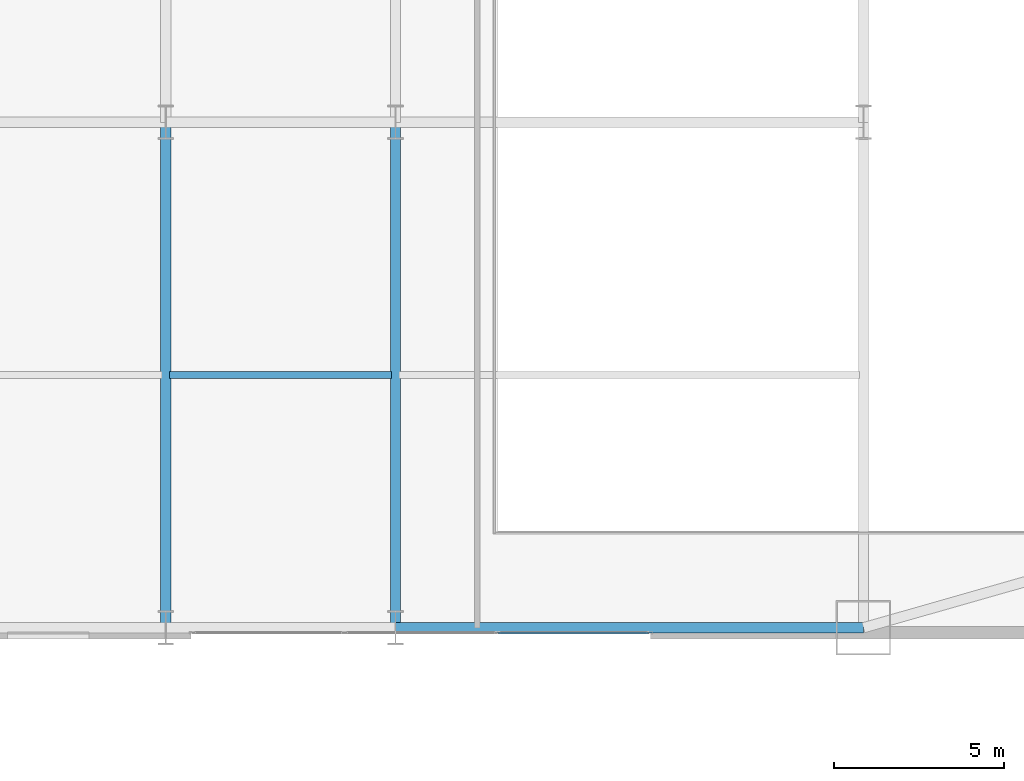
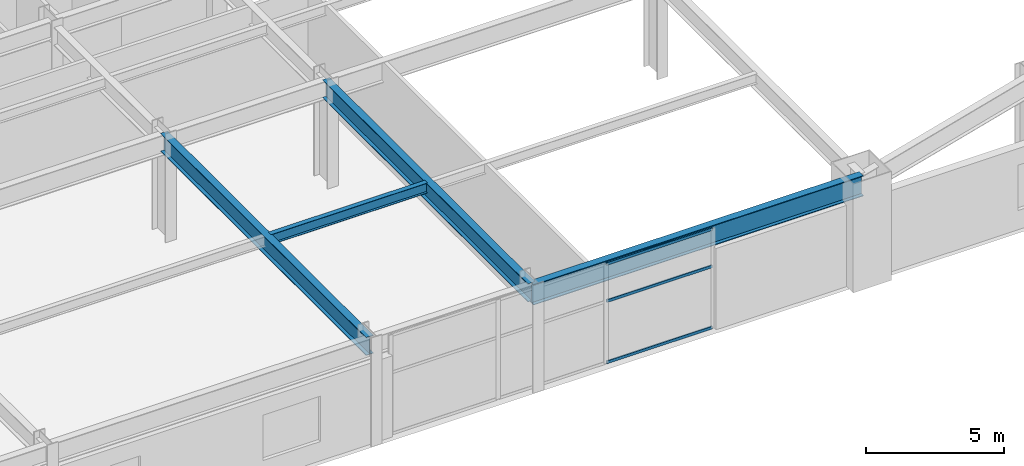
# One storey, part 5 of 30: 4 beams, 3 members, 1 element without a shape of its own.
"""IFC4 building model written with IfcOpenShell, lengths in metres."""

from ifc_helpers import new_model, si_unit, direction, frame, origin, origin_2d, place, context, subcontext, project, spatial, hollow_rectangle, i_section, extrude, material, layer, layer_set, material_profile, profile_set, type_object, element, aggregate, save


model = new_model("IFC4")

# Units and contexts
model_context = context("Model", 3, precision=1e-05, world=origin(), true_north=direction((0.0, 1.0)))
body_context = subcontext(model_context, "Body", "Model", "MODEL_VIEW")
ifc_project = project(units=[si_unit("LENGTHUNIT", "METRE"), si_unit("AREAUNIT", "SQUARE_METRE"), si_unit("VOLUMEUNIT", "CUBIC_METRE"), si_unit("PLANEANGLEUNIT", "RADIAN"), si_unit("MASSUNIT", "GRAM", prefix="KILO")], contexts=[model_context])

# Site, building, storey
site_placement = place(None, origin())
site = spatial("IfcSite", under=ifc_project, at=site_placement, CompositionType="ELEMENT")
building_placement = place(site_placement, origin())
building = spatial("IfcBuilding", under=site, at=building_placement, Name="Haevon Station Towers", CompositionType="ELEMENT")
storey_placement = place(building_placement, frame((0.0, 0.0, 15.60009765625)))
storey = spatial("IfcBuildingStorey", under=building, at=storey_placement, Name="L03", CompositionType="ELEMENT", Elevation=15.60009765625)

# Beams
ifc_material_1 = material(Name="Steel S355", Category="steel")
ifc_material_profile_1 = material_profile(ifc_material_1, i_section(OverallWidth=0.199951171875, OverallDepth=0.449951171875, WebThickness=0.009033203125, FlangeThickness=0.013916015625, at=origin_2d()), Name="H-450x200x9x14")
ifc_profile_set_1 = profile_set([ifc_material_profile_1], Name="Steel S355")
beam_type_1 = type_object("IfcBeamType", Name="BM-J450", PredefinedType="JOIST", material=ifc_profile_set_1)
beam_1_placement = place(storey_placement, frame((44.360107421875, 22.574951171875, 4.27490234375), z_axis=(1.0, 0.0, 0.0), x_axis=(0.0, 1.0, 0.0)))
element("IfcBeam", 1, at=beam_1_placement, inside=storey, type_object=beam_type_1, Name="BM-T1J-L03-01-04", PredefinedType="JOIST", context=body_context, shape_type="SweptSolid", body=[
    extrude(i_section(OverallWidth=0.199951171875, OverallDepth=0.449951171875, WebThickness=0.009033203125, FlangeThickness=0.013916015625, at=origin_2d()), origin(), (0.0, 0.0, 1.0), 6.52978515625),
])
ifc_material_profile_2 = material_profile(ifc_material_1, i_section(OverallWidth=0.300048828125, OverallDepth=0.800048828125, WebThickness=0.013916015625, FlangeThickness=0.02587890625, at=origin_2d()), Name="H-800x300x14x26")
ifc_profile_set_2 = profile_set([ifc_material_profile_2], Name="Steel S355")
beam_type_2 = type_object("IfcBeamType", Name="BM-PG800", PredefinedType="BEAM", material=ifc_profile_set_2)
for number, where, z_axis, x_axis, name in (
    (2, (44.25, 15.14990234375, 4.099853515625), (0.0, 1.0, 0.0), (-1.0, 0.0, 0.0), "BM-T1Y-L03-05-01"),
    (3, (51.0, 15.14990234375, 4.099853515625), (0.0, 1.0, 0.0), (-1.0, 0.0, 0.0), "BM-T1Y-L03-06-01"),
):
    element("IfcBeam", number, at=place(storey_placement, frame(where, z_axis=z_axis, x_axis=x_axis)), inside=storey, type_object=beam_type_2, Name=name, PredefinedType="BEAM", context=body_context, shape_type="SweptSolid", body=[
        extrude(i_section(OverallWidth=0.300048828125, OverallDepth=0.800048828125, WebThickness=0.013916015625, FlangeThickness=0.02587890625, at=origin_2d()), origin(), (0.0, 0.0, 1.0), 14.85009765625),
    ])
ifc_material_profile_3 = material_profile(ifc_material_1, i_section(OverallWidth=0.300048828125, OverallDepth=0.89990234375, WebThickness=0.01611328125, FlangeThickness=0.028076171875, at=origin_2d()), Name="H-900x300x16x28")
ifc_profile_set_3 = profile_set([ifc_material_profile_3], Name="Steel S355")
beam_type_3 = type_object("IfcBeamType", Name="BM-PG900", PredefinedType="BEAM", material=ifc_profile_set_3)
beam_2_placement = place(storey_placement, frame((51.0, 15.14990234375, 4.0498046875), z_axis=(1.0, 0.0, 0.0), x_axis=(0.0, 1.0, 0.0)))
element("IfcBeam", 4, at=beam_2_placement, inside=storey, type_object=beam_type_3, Name="BM-T1X-L03-01-06", PredefinedType="BEAM", context=body_context, shape_type="SweptSolid", body=[
    extrude(i_section(OverallWidth=0.300048828125, OverallDepth=0.89990234375, WebThickness=0.01611328125, FlangeThickness=0.028076171875, at=origin_2d()), origin(), (0.0, 0.0, 1.0), 13.75),
])

# Curtain wall, members
ifc_material_2 = material(Name="Anodised aluminium and Low-E double glazing", Category="aluminium")
ifc_layer = layer(ifc_material_2, 0.179931640625)
ifc_layer_set = layer_set([ifc_layer], Name="Anodised aluminium and Low-E double glazing")
curtain_wall_type = type_object("IfcCurtainWallType", Name="CW-SYS2", PredefinedType="NOTDEFINED", material=ifc_layer_set)
curtain_wall_placement = place(storey_placement, origin())
curtain_wall = element("IfcCurtainWall", 5, at=curtain_wall_placement, inside=storey, type_object=curtain_wall_type, Name="L03 Curtain Wall CW-POD-L03-S2", PredefinedType="NOTDEFINED")
ifc_material_3 = material(Name="Anodised aluminium 6063-T6", Category="aluminium")
ifc_material_profile_4 = material_profile(ifc_material_3, hollow_rectangle(XDim=0.06005859375, YDim=0.1201171875, WallThickness=0.0029296875, at=origin_2d()), Name="CWT-120x60x3")
ifc_profile_set_4 = profile_set([ifc_material_profile_4], Name="Anodised aluminium 6063-T6")
member_type = type_object("IfcMemberType", Name="CWT-120", PredefinedType="USERDEFINED", material=ifc_profile_set_4)
member_1_placement = place(storey_placement, frame((58.43505859375, 15.0, 0.02978515625), z_axis=(-1.0, 0.0, 0.0), x_axis=(0.0, -1.0, 0.0)))
member_1 = element("IfcMember", 6, at=member_1_placement, type_object=member_type, Name="CW-SYS2 transom 1.1", ObjectType="TRANSOM", PredefinedType="USERDEFINED", context=body_context, shape_type="SweptSolid", body=[
    extrude(hollow_rectangle(XDim=0.06005859375, YDim=0.1201171875, WallThickness=0.0029296875, at=origin_2d()), origin(), (0.0, 0.0, 1.0), 4.402587890625),
])
member_2_placement = place(storey_placement, frame((58.43505859375, 15.0, 2.727783203125), z_axis=(-1.0, 0.0, 0.0), x_axis=(0.0, -1.0, 0.0)))
member_2 = element("IfcMember", 7, at=member_2_placement, type_object=member_type, Name="CW-SYS2 transom 1.2", ObjectType="TRANSOM", PredefinedType="USERDEFINED", context=body_context, shape_type="SweptSolid", body=[
    extrude(hollow_rectangle(XDim=0.06005859375, YDim=0.1201171875, WallThickness=0.0029296875, at=origin_2d()), origin(), (0.0, 0.0, 1.0), 4.402587890625),
])
member_3_placement = place(storey_placement, frame((58.43505859375, 15.0, 4.369873046875), z_axis=(-1.0, 0.0, 0.0), x_axis=(0.0, -1.0, 0.0)))
member_3 = element("IfcMember", 8, at=member_3_placement, type_object=member_type, Name="CW-SYS2 transom 1.3", ObjectType="TRANSOM", PredefinedType="USERDEFINED", context=body_context, shape_type="SweptSolid", body=[
    extrude(hollow_rectangle(XDim=0.06005859375, YDim=0.1201171875, WallThickness=0.0029296875, at=origin_2d()), origin(), (0.0, 0.0, 1.0), 4.402587890625),
])
aggregate(curtain_wall, [member_1, member_2, member_3])

save(model, "model.ifc")
